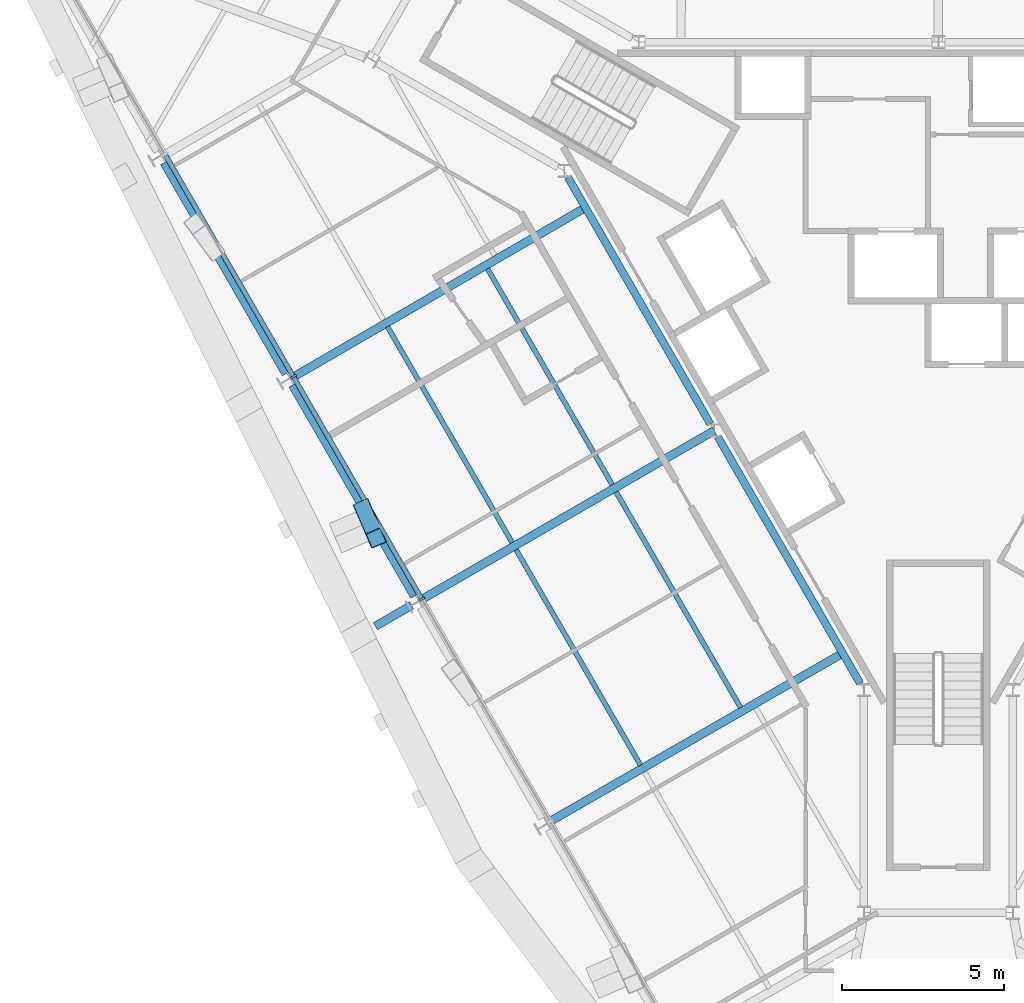
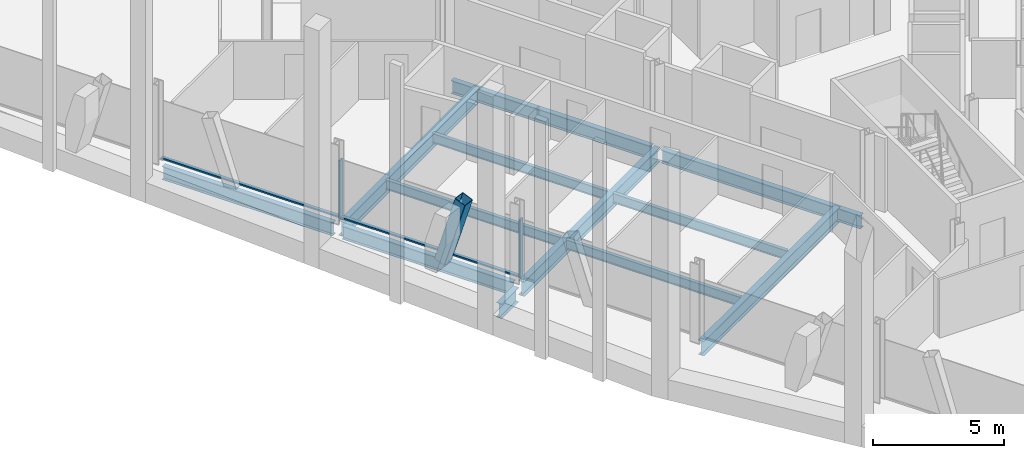
# One storey, part 4 of 15: 12 beams, 5 members, 1 element without a shape of its own.
"""IFC4 building model written with IfcOpenShell, lengths in metres."""

from ifc_helpers import new_model, si_unit, direction, frame, origin, origin_2d, place, context, subcontext, project, spatial, rectangle, hollow_rectangle, i_section, extrude, material, material_profile, profile_set, type_object, element, aggregate, save


model = new_model("IFC4")

# Units and contexts
model_context = context("Model", 3, precision=1e-05, world=origin(), true_north=direction((0.0, 1.0)))
body_context = subcontext(model_context, "Body", "Model", "MODEL_VIEW")
ifc_project = project(units=[si_unit("LENGTHUNIT", "METRE"), si_unit("AREAUNIT", "SQUARE_METRE"), si_unit("VOLUMEUNIT", "CUBIC_METRE"), si_unit("PLANEANGLEUNIT", "RADIAN"), si_unit("MASSUNIT", "GRAM", prefix="KILO")], contexts=[model_context])

# Site, building, storey
site_placement = place(None, origin())
site = spatial("IfcSite", under=ifc_project, at=site_placement, CompositionType="ELEMENT")
building_placement = place(site_placement, origin())
building = spatial("IfcBuilding", under=site, at=building_placement, Name="Verrane Prism Tower", CompositionType="ELEMENT")
storey_placement = place(building_placement, frame((0.0, 0.0, 189.5)))
storey = spatial("IfcBuildingStorey", under=building, at=storey_placement, Name="L47", CompositionType="ELEMENT", Elevation=189.5)

# Beams
ifc_material_1 = material(Name="Steel A992", Category="steel")
ifc_material_profile_1 = material_profile(ifc_material_1, i_section(OverallWidth=0.23046875, OverallDepth=0.6171875, WebThickness=0.01318359375, FlangeThickness=0.022216796875, FilletRadius=0.012939453125, at=origin_2d()), Name="W24x94")
ifc_profile_set_1 = profile_set([ifc_material_profile_1], Name="Steel A992")
beam_type_1 = type_object("IfcBeamType", Name="Core ring girder W24x94", PredefinedType="BEAM", material=ifc_profile_set_1)
beam_1_placement = place(storey_placement, frame((-11.44482421875, 3.820556640625, -0.55859375), z_axis=(0.499967414725, -0.866044216084, 0.0), x_axis=(0.866044216084, 0.499967414725, 0.0)))
element("IfcBeam", 1, at=beam_1_placement, inside=storey, type_object=beam_type_1, Name="Core ring girder L47", PredefinedType="BEAM", context=body_context, shape_type="SweptSolid", body=[
    extrude(i_section(OverallWidth=0.23046875, OverallDepth=0.6171875, WebThickness=0.01318359375, FlangeThickness=0.022216796875, FilletRadius=0.012939453125, at=origin_2d()), origin(), (0.0, 0.0, 1.0), 8.7998046875),
])
beam_2_placement = place(storey_placement, frame((-6.81494140625, -4.199462890625, -0.55859375), z_axis=(0.499988222896, -0.866032203192, 0.0), x_axis=(0.866032203192, 0.499988222896, 0.0)))
element("IfcBeam", 2, at=beam_2_placement, inside=storey, type_object=beam_type_1, Name="Core ring girder L47", PredefinedType="BEAM", context=body_context, shape_type="SweptSolid", body=[
    extrude(i_section(OverallWidth=0.23046875, OverallDepth=0.6171875, WebThickness=0.01318359375, FlangeThickness=0.022216796875, FilletRadius=0.012939453125, at=origin_2d()), origin(), (0.0, 0.0, 1.0), 8.800048828125),
])

# Member
ifc_material_2 = material(Name="Steel A500 Grade C", Category="steel")
ifc_material_profile_2 = material_profile(ifc_material_2, hollow_rectangle(XDim=0.508056640625, YDim=0.508056640625, WallThickness=0.01904296875, InnerFilletRadius=0.009521484375, OuterFilletRadius=0.028564453125, at=origin_2d()), Name="HSS20x20x3/4")
ifc_profile_set_2 = profile_set([ifc_material_profile_2], Name="Steel A500 Grade C")
member_type_1 = type_object("IfcMemberType", Name="Facade brace HSS20x20x3/4", PredefinedType="BRACE", material=ifc_profile_set_2)
member_1_placement = place(storey_placement, frame((-17.763427734375, -6.423583984375, -0.216796875), z_axis=(0.116026750119, -0.269585123624, 0.955961115515), x_axis=(0.918539125292, 0.39533008399, 0.0)))
element("IfcMember", 3, at=member_1_placement, inside=storey, type_object=member_type_1, Name="Facade brace SW2 L47", PredefinedType="BRACE", context=body_context, shape_type="SweptSolid", body=[
    extrude(hollow_rectangle(XDim=0.508056640625, YDim=0.508056640625, WallThickness=0.01904296875, InnerFilletRadius=0.009521484375, OuterFilletRadius=0.028564453125, at=origin_2d()), origin(), (0.0, 0.0, 1.0), 3.343505859375),
])

# Beams
ifc_material_3 = material(Name="Steel A992", Category="steel")
ifc_material_profile_3 = material_profile(ifc_material_3, i_section(OverallWidth=0.15234375, OverallDepth=0.449462890625, WebThickness=0.007568359375, FlangeThickness=0.0107421875, FilletRadius=0.01025390625, at=origin_2d()), Name="W18x35")
ifc_profile_set_3 = profile_set([ifc_material_profile_3], Name="Steel A992")
beam_type_2 = type_object("IfcBeamType", Name="Floor beam W18x35", PredefinedType="BEAM", material=ifc_profile_set_3)
beam_3_placement = place(storey_placement, frame((-10.0771484375, -5.6796875, -0.384765625), z_axis=(-0.499983011228, 0.866035212034, 0.0), x_axis=(-0.866035212034, -0.499983011228, 0.0)))
element("IfcBeam", 4, at=beam_3_placement, inside=storey, type_object=beam_type_2, Name="Floor beam L47", PredefinedType="BEAM", context=body_context, shape_type="SweptSolid", body=[
    extrude(i_section(OverallWidth=0.15234375, OverallDepth=0.449462890625, WebThickness=0.007568359375, FlangeThickness=0.0107421875, FilletRadius=0.01025390625, at=origin_2d()), origin(), (0.0, 0.0, 1.0), 7.705322265625),
])
beam_4_placement = place(storey_placement, frame((-13.171142578125, -7.46533203125, -0.384765625), z_axis=(-0.499990362368, 0.866030968003, 0.0), x_axis=(-0.866030968003, -0.499990362368, 0.0)))
element("IfcBeam", 5, at=beam_4_placement, inside=storey, type_object=beam_type_2, Name="Floor beam L47", PredefinedType="BEAM", context=body_context, shape_type="SweptSolid", body=[
    extrude(i_section(OverallWidth=0.15234375, OverallDepth=0.449462890625, WebThickness=0.007568359375, FlangeThickness=0.0107421875, FilletRadius=0.01025390625, at=origin_2d()), origin(), (0.0, 0.0, 1.0), 7.704345703125),
])
for number, where, z_axis, x_axis, name in (
    (6, (-6.1123046875, -12.562744140625, -0.384765625), (-0.500004621041, 0.866022735809, 0.0), (-0.866022735809, -0.500004621041, 0.0), "Floor beam L47"),
    (7, (-9.202880859375, -14.346435546875, -0.384765625), (-0.500004621041, 0.866022735809, 0.0), (-0.866022735809, -0.500004621041, 0.0), "Floor beam L47"),
):
    element("IfcBeam", number, at=place(storey_placement, frame(where, z_axis=z_axis, x_axis=x_axis)), inside=storey, type_object=beam_type_2, Name=name, PredefinedType="BEAM", context=body_context, shape_type="SweptSolid", body=[
        extrude(i_section(OverallWidth=0.15234375, OverallDepth=0.449462890625, WebThickness=0.007568359375, FlangeThickness=0.0107421875, FilletRadius=0.01025390625, at=origin_2d()), origin(), (0.0, 0.0, 1.0), 7.689453125),
    ])

# Curtain wall, members
ifc_material_4 = material(Name="Aluminium framed insulated glazing", Category="aluminium")
curtain_wall_type = type_object("IfcCurtainWallType", Name="Curtain wall CW-A 8400 module", PredefinedType="NOTDEFINED", material=ifc_material_4)
curtain_wall_placement = place(storey_placement, origin())
curtain_wall = element("IfcCurtainWall", 8, at=curtain_wall_placement, inside=storey, type_object=curtain_wall_type, Name="Glazed curtain wall south-west face L47", PredefinedType="NOTDEFINED")
ifc_material_5 = material(Name="Aluminium alloy 6063-T6", Category="aluminium")
ifc_material_profile_4 = material_profile(ifc_material_5, rectangle(XDim=0.199951171875, YDim=0.070068359375, at=origin_2d()), Name="Mullion 70x200 aluminium")
ifc_profile_set_4 = profile_set([ifc_material_profile_4], Name="Aluminium alloy 6063-T6")
member_type_2 = type_object("IfcMemberType", Name="Mullion 70x200 aluminium", PredefinedType="MULLION", material=ifc_profile_set_4)
member_2_placement = place(storey_placement, frame((-19.9306640625, -2.34130859375, 0.0), z_axis=(0.0, 0.0, 1.0), x_axis=(0.866025652206, 0.499999569721, 0.0)))
member_2 = element("IfcMember", 9, at=member_2_placement, type_object=member_type_2, Name="CW47.4 mullion 3", PredefinedType="MULLION", context=body_context, shape_type="SweptSolid", body=[
    extrude(rectangle(XDim=0.199951171875, YDim=0.070068359375, at=origin_2d()), origin(), (0.0, 0.0, 1.0), 2.712890625),
])
member_3_placement = place(storey_placement, frame((-15.961669921875, -9.215576171875, 0.0), z_axis=(0.0, 0.0, 1.0), x_axis=(0.866025652206, 0.499999569721, 0.0)))
member_3 = element("IfcMember", 10, at=member_3_placement, type_object=member_type_2, Name="CW47.4 mullion 4", PredefinedType="MULLION", context=body_context, shape_type="SweptSolid", body=[
    extrude(rectangle(XDim=0.199951171875, YDim=0.070068359375, at=origin_2d()), origin(), (0.0, 0.0, 1.0), 2.712890625),
])

# Beams
ifc_material_6 = material(Name="Steel A992", Category="steel")
ifc_material_profile_5 = material_profile(ifc_material_6, i_section(OverallWidth=0.25390625, OverallDepth=0.683349609375, WebThickness=0.012451171875, FlangeThickness=0.01904296875, FilletRadius=0.01513671875, at=origin_2d()), Name="W27x94")
ifc_profile_set_5 = profile_set([ifc_material_profile_5], Name="Steel A992")
beam_type_3 = type_object("IfcBeamType", Name="Radial girder W27x94", PredefinedType="BEAM", material=ifc_profile_set_5)
beam_5_placement = place(storey_placement, frame((-19.889404296875, -2.325927734375, -0.5615234375), z_axis=(0.865037106107, 0.501707888176, 0.0), x_axis=(-0.501707888176, 0.865037106107, 0.0)))
element("IfcBeam", 11, at=beam_5_placement, inside=storey, type_object=beam_type_3, Name="Radial girder L47", PredefinedType="BEAM", context=body_context, shape_type="SweptSolid", body=[
    extrude(i_section(OverallWidth=0.25390625, OverallDepth=0.683349609375, WebThickness=0.012451171875, FlangeThickness=0.01904296875, FilletRadius=0.01513671875, at=origin_2d()), origin(), (0.0, 0.0, 1.0), 10.386474609375),
])
beam_6_placement = place(storey_placement, frame((-15.920654296875, -9.1982421875, -0.5615234375), z_axis=(0.866051705471, 0.499954441375, 0.0), x_axis=(-0.499954441375, 0.866051705471, 0.0)))
element("IfcBeam", 12, at=beam_6_placement, inside=storey, type_object=beam_type_3, Name="Radial girder L47", PredefinedType="BEAM", context=body_context, shape_type="SweptSolid", body=[
    extrude(i_section(OverallWidth=0.25390625, OverallDepth=0.683349609375, WebThickness=0.012451171875, FlangeThickness=0.01904296875, FilletRadius=0.01513671875, at=origin_2d()), origin(), (0.0, 0.0, 1.0), 10.38525390625),
])
beam_7_placement = place(storey_placement, frame((-11.96044921875, -16.060302734375, -0.5615234375), z_axis=(0.867032735821, 0.498251176631, 0.0), x_axis=(-0.498251176631, 0.867032735821, 0.0)))
element("IfcBeam", 13, at=beam_7_placement, inside=storey, type_object=beam_type_3, Name="Radial girder L47", PredefinedType="BEAM", context=body_context, shape_type="SweptSolid", body=[
    extrude(i_section(OverallWidth=0.25390625, OverallDepth=0.683349609375, WebThickness=0.012451171875, FlangeThickness=0.01904296875, FilletRadius=0.01513671875, at=origin_2d()), origin(), (0.0, 0.0, 1.0), 10.386474609375),
])
beam_8_placement = place(storey_placement, frame((-16.277587890625, -9.40478515625, -0.5615234375), z_axis=(-0.866047038303, -0.499962526042, 0.0), x_axis=(0.499962526042, -0.866047038303, 0.0)))
element("IfcBeam", 14, at=beam_8_placement, inside=storey, type_object=beam_type_3, Name="Cantilever girder L47", PredefinedType="BEAM", context=body_context, shape_type="SweptSolid", body=[
    extrude(i_section(OverallWidth=0.25390625, OverallDepth=0.683349609375, WebThickness=0.012451171875, FlangeThickness=0.01904296875, FilletRadius=0.01513671875, at=origin_2d()), origin(), (0.0, 0.0, 1.0), 1.291015625),
])
ifc_material_7 = material(Name="Steel A992", Category="steel")
ifc_material_profile_6 = material_profile(ifc_material_7, i_section(OverallWidth=0.23046875, OverallDepth=0.6171875, WebThickness=0.01318359375, FlangeThickness=0.022216796875, FilletRadius=0.012939453125, at=origin_2d()), Name="W24x94")
ifc_profile_set_6 = profile_set([ifc_material_profile_6], Name="Steel A992")
beam_type_4 = type_object("IfcBeamType", Name="Spandrel beam W24x94", PredefinedType="SPANDREL", material=ifc_profile_set_6)
beam_9_placement = place(storey_placement, frame((-23.934814453125, 4.263916015625, -0.468505859375), z_axis=(0.500032236818, -0.866006791049, 0.0), x_axis=(0.866006791049, 0.500032236818, 0.0)))
element("IfcBeam", 15, at=beam_9_placement, inside=storey, type_object=beam_type_4, Name="Spandrel beam L47", PredefinedType="SPANDREL", context=body_context, shape_type="SweptSolid", body=[
    extrude(i_section(OverallWidth=0.23046875, OverallDepth=0.6171875, WebThickness=0.01318359375, FlangeThickness=0.022216796875, FilletRadius=0.012939453125, at=origin_2d()), origin(), (0.0, 0.0, 1.0), 7.52685546875),
])
beam_10_placement = place(storey_placement, frame((-19.968017578125, -2.6064453125, -0.468505859375), z_axis=(0.500104173671, -0.865965250733, 0.0), x_axis=(0.865965250733, 0.500104173671, 0.0)))
element("IfcBeam", 16, at=beam_10_placement, inside=storey, type_object=beam_type_4, Name="Spandrel beam L47", PredefinedType="SPANDREL", context=body_context, shape_type="SweptSolid", body=[
    extrude(i_section(OverallWidth=0.23046875, OverallDepth=0.6171875, WebThickness=0.01318359375, FlangeThickness=0.022216796875, FilletRadius=0.012939453125, at=origin_2d()), origin(), (0.0, 0.0, 1.0), 7.529296875),
])

# Member
ifc_material_8 = material(Name="Aluminium alloy 6063-T6", Category="aluminium")
ifc_material_profile_7 = material_profile(ifc_material_8, rectangle(XDim=0.14990234375, YDim=0.070068359375, at=origin_2d()), Name="Transom 70x150 aluminium")
ifc_profile_set_7 = profile_set([ifc_material_profile_7], Name="Aluminium alloy 6063-T6")
member_type_3 = type_object("IfcMemberType", Name="Transom 70x150 aluminium", PredefinedType="USERDEFINED", material=ifc_profile_set_7)
member_4_placement = place(storey_placement, frame((-23.8818359375, 4.502685546875, 0.034912109375), z_axis=(0.49999374744, -0.866029013672, 0.0), x_axis=(0.866029013672, 0.49999374744, 0.0)))
member_4 = element("IfcMember", 17, at=member_4_placement, type_object=member_type_3, Name="CW47.4 transom 2", ObjectType="TRANSOM", PredefinedType="USERDEFINED", context=body_context, shape_type="SweptSolid", body=[
    extrude(rectangle(XDim=0.14990234375, YDim=0.070068359375, at=origin_2d()), origin(), (0.0, 0.0, 1.0), 7.86767578125),
])

member_5_placement = place(storey_placement, frame((-19.9130859375, -2.37158203125, 0.034912109375), z_axis=(0.49999374744, -0.866029013672, 0.0), x_axis=(0.866029013672, 0.49999374744, 0.0)))
member_5 = element("IfcMember", 18, at=member_5_placement, type_object=member_type_3, Name="CW47.4 transom 3", ObjectType="TRANSOM", PredefinedType="USERDEFINED", context=body_context, shape_type="SweptSolid", body=[
    extrude(rectangle(XDim=0.14990234375, YDim=0.070068359375, at=origin_2d()), origin(), (0.0, 0.0, 1.0), 7.86767578125),
])

aggregate(curtain_wall, [member_2, member_3, member_4, member_5])

save(model, "model.ifc")
